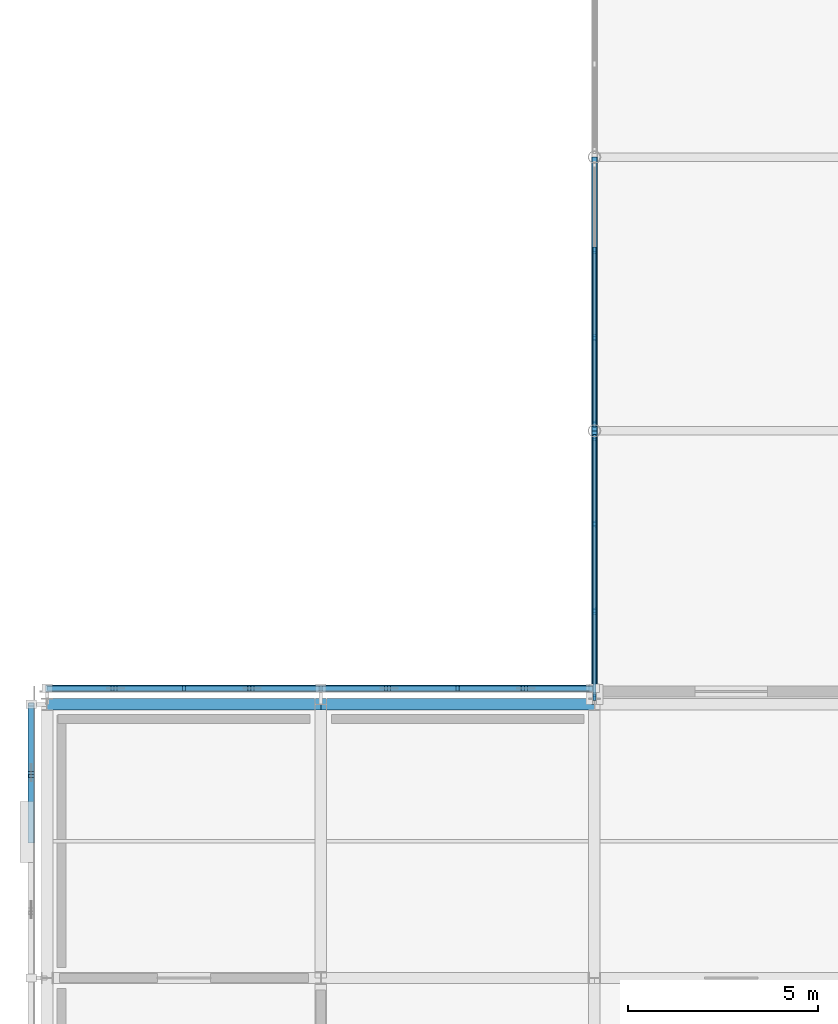
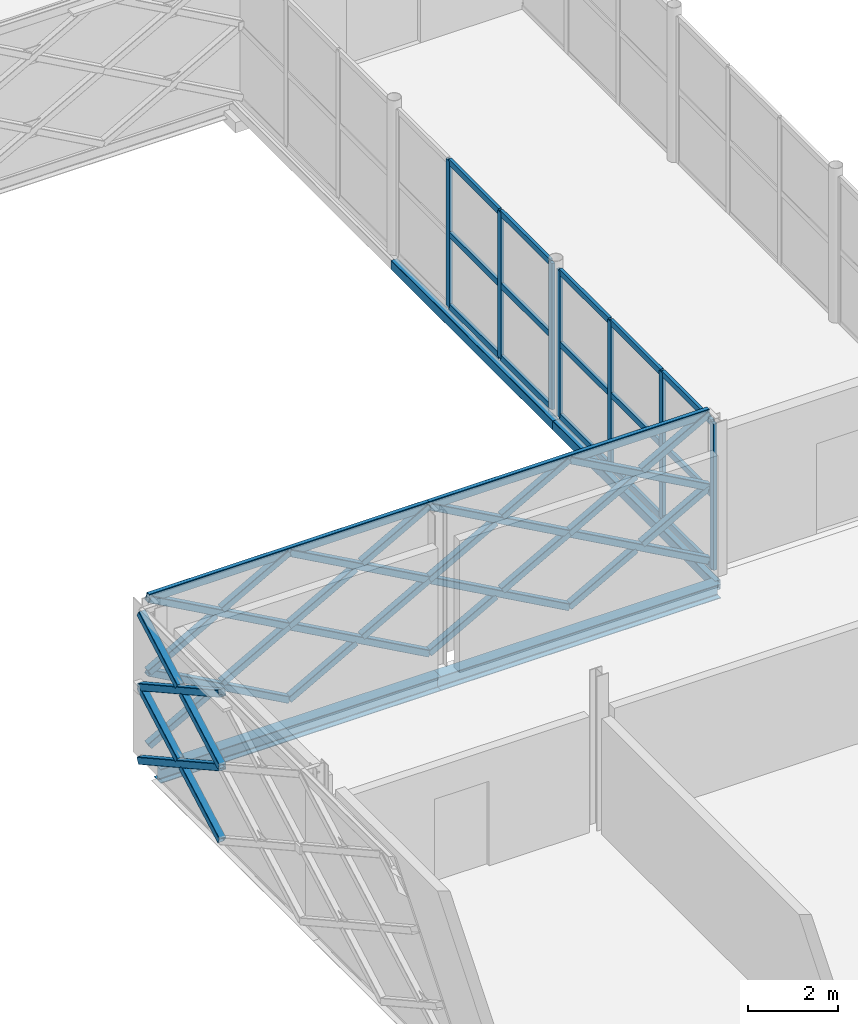
# One storey, part 32 of 146: 54 members, 4 beams, 2 elements without a shape of their own.
"""IFC4 building model written with IfcOpenShell, lengths in metres."""

from ifc_helpers import new_model, si_unit, direction, frame, origin, origin_2d, place, context, subcontext, project, spatial, rectangle, hollow_rectangle, i_section, extrude, material, material_profile, profile_set, type_object, element, aggregate, save


model = new_model("IFC4")

# Units and contexts
model_context = context("Model", 3, precision=1e-05, world=origin(), true_north=direction((0.0, 1.0)))
body_context = subcontext(model_context, "Body", "Model", "MODEL_VIEW")
ifc_project = project(units=[si_unit("LENGTHUNIT", "METRE"), si_unit("AREAUNIT", "SQUARE_METRE"), si_unit("VOLUMEUNIT", "CUBIC_METRE"), si_unit("PLANEANGLEUNIT", "RADIAN"), si_unit("MASSUNIT", "GRAM", prefix="KILO")], contexts=[model_context])

# Site, building, storey
site_placement = place(None, origin())
site = spatial("IfcSite", under=ifc_project, at=site_placement, CompositionType="ELEMENT")
building_placement = place(site_placement, origin())
building = spatial("IfcBuilding", under=site, at=building_placement, Name="Zlatovets Crest Museum", CompositionType="ELEMENT")
storey_placement = place(building_placement, frame((0.0, 0.0, 4.5)))
storey = spatial("IfcBuildingStorey", under=building, at=storey_placement, Name="L01", CompositionType="ELEMENT", Elevation=4.5)

# Beams
ifc_material_1 = material(Name="Structural steel S355J2", Category="steel")
ifc_material_profile_1 = material_profile(ifc_material_1, i_section(OverallWidth=0.300048828125, OverallDepth=0.389892578125, WebThickness=0.010986328125, FlangeThickness=0.01904296875, FilletRadius=0.027099609375, at=origin_2d()), Name="HEA 400")
ifc_profile_set_1 = profile_set([ifc_material_profile_1], Name="Structural steel S355J2")
beam_type_1 = type_object("IfcBeamType", Name="Beam_B-02", PredefinedType="BEAM", material=ifc_profile_set_1)
for number, where, z_axis, x_axis, name in (
    (1, (0.0, 28.800048828125, -0.4150390625), (1.0, 0.0, 0.0), (0.0, 1.0, 0.0), "V3 L01 Primary Girder B-02"),
    (2, (7.199951171875, 28.800048828125, -0.4150390625), (1.0, 0.0, 0.0), (0.0, 1.0, 0.0), "V3 L01 Primary Girder B-02"),
):
    element("IfcBeam", number, at=place(storey_placement, frame(where, z_axis=z_axis, x_axis=x_axis)), inside=storey, type_object=beam_type_1, Name=name, PredefinedType="BEAM", context=body_context, shape_type="SweptSolid", body=[
        extrude(i_section(OverallWidth=0.300048828125, OverallDepth=0.389892578125, WebThickness=0.010986328125, FlangeThickness=0.01904296875, FilletRadius=0.027099609375, at=origin_2d()), origin(), (0.0, 0.0, 1.0), 7.199951171875),
    ])
ifc_material_profile_2 = material_profile(ifc_material_1, hollow_rectangle(XDim=0.159912109375, YDim=0.260009765625, WallThickness=0.010009765625, InnerFilletRadius=0.010009765625, OuterFilletRadius=0.02001953125, at=origin_2d()), Name="RHS 160x260x10.0")
ifc_profile_set_2 = profile_set([ifc_material_profile_2], Name="Structural steel S355J2")
beam_type_2 = type_object("IfcBeamType", Name="Beam_BRG-02", PredefinedType="BEAM", material=ifc_profile_set_2)
for number, where, z_axis, x_axis, name in (
    (3, (14.39990234375, 28.800048828125, -0.35009765625), (0.0, 1.0, 0.0), (-1.0, 0.0, 0.0), "West Hillside Glazed Link Bridge L01 Stringer Beam"),
    (4, (14.39990234375, 36.0, -0.35009765625), (0.0, 1.0, 0.0), (-1.0, 0.0, 0.0), "West Hillside Glazed Link Bridge L01 Stringer Beam"),
):
    element("IfcBeam", number, at=place(storey_placement, frame(where, z_axis=z_axis, x_axis=x_axis)), inside=storey, type_object=beam_type_2, Name=name, PredefinedType="BEAM", context=body_context, shape_type="SweptSolid", body=[
        extrude(hollow_rectangle(XDim=0.159912109375, YDim=0.260009765625, WallThickness=0.010009765625, InnerFilletRadius=0.010009765625, OuterFilletRadius=0.02001953125, at=origin_2d()), origin(), (0.0, 0.0, 1.0), 7.199951171875),
    ])

# Curtain wall, members
ifc_material_2 = material(Name="Bronze-anodised aluminium and low-E triple glass", Category="aluminium")
curtain_wall_type = type_object("IfcCurtainWallType", Name="CW_CW-BR2-L01-S69", PredefinedType="NOTDEFINED", material=ifc_material_2)
curtain_wall_1_placement = place(storey_placement, origin())
curtain_wall_1 = element("IfcCurtainWall", 5, at=curtain_wall_1_placement, inside=storey, type_object=curtain_wall_type, Name="West Hillside Glazed Link Bridge L01 Glazed Bridge Curtain Wall", PredefinedType="NOTDEFINED")
ifc_material_3 = material(Name="Bronze-anodised aluminium EN AW-6060", Category="aluminium")
ifc_material_profile_3 = material_profile(ifc_material_3, rectangle(XDim=0.080078125, YDim=0.159912109375, at=origin_2d()), Name="ALU 80x160")
ifc_profile_set_3 = profile_set([ifc_material_profile_3], Name="Bronze-anodised aluminium EN AW-6060")
member_type_1 = type_object("IfcMemberType", Name="CWMull_M1", PredefinedType="MULLION", material=ifc_profile_set_3)
member_1_placement = place(storey_placement, frame((14.39990234375, 28.97998046875, 0.0), z_axis=(0.0, 0.0, 1.0), x_axis=(-1.0, 0.0, 0.0)))
member_1 = element("IfcMember", 6, at=member_1_placement, type_object=member_type_1, Name="CW-BR2-L01-S69 mullion 1", PredefinedType="MULLION", context=body_context, shape_type="SweptSolid", body=[
    extrude(rectangle(XDim=0.080078125, YDim=0.159912109375, at=origin_2d()), origin(), (0.0, 0.0, 1.0), 3.97998046875),
])
member_2_placement = place(storey_placement, frame((14.39990234375, 31.25, 0.0), z_axis=(0.0, 0.0, 1.0), x_axis=(-1.0, 0.0, 0.0)))
member_2 = element("IfcMember", 7, at=member_2_placement, type_object=member_type_1, Name="CW-BR2-L01-S69 mullion 2", PredefinedType="MULLION", context=body_context, shape_type="SweptSolid", body=[
    extrude(rectangle(XDim=0.080078125, YDim=0.159912109375, at=origin_2d()), origin(), (0.0, 0.0, 1.0), 3.97998046875),
])
member_3_placement = place(storey_placement, frame((14.39990234375, 33.550048828125, 0.0), z_axis=(0.0, 0.0, 1.0), x_axis=(-1.0, 0.0, 0.0)))
member_3 = element("IfcMember", 8, at=member_3_placement, type_object=member_type_1, Name="CW-BR2-L01-S69 mullion 3", PredefinedType="MULLION", context=body_context, shape_type="SweptSolid", body=[
    extrude(rectangle(XDim=0.080078125, YDim=0.159912109375, at=origin_2d()), origin(), (0.0, 0.0, 1.0), 3.97998046875),
])
member_4_placement = place(storey_placement, frame((14.39990234375, 35.820068359375, 0.0), z_axis=(0.0, 0.0, 1.0), x_axis=(-1.0, 0.0, 0.0)))
member_4 = element("IfcMember", 9, at=member_4_placement, type_object=member_type_1, Name="CW-BR2-L01-S69 mullion 4", PredefinedType="MULLION", context=body_context, shape_type="SweptSolid", body=[
    extrude(rectangle(XDim=0.080078125, YDim=0.159912109375, at=origin_2d()), origin(), (0.0, 0.0, 1.0), 3.97998046875),
])

curtain_wall_2_placement = place(storey_placement, origin())
curtain_wall_2 = element("IfcCurtainWall", 10, at=curtain_wall_2_placement, inside=storey, type_object=curtain_wall_type, Name="West Hillside Glazed Link Bridge L01 Glazed Bridge Curtain Wall", PredefinedType="NOTDEFINED")
member_5_placement = place(storey_placement, frame((14.39990234375, 36.179931640625, 0.0), z_axis=(0.0, 0.0, 1.0), x_axis=(-1.0, 0.0, 0.0)))
member_5 = element("IfcMember", 11, at=member_5_placement, type_object=member_type_1, Name="CW-BR2-L01-S69 mullion 1", PredefinedType="MULLION", context=body_context, shape_type="SweptSolid", body=[
    extrude(rectangle(XDim=0.080078125, YDim=0.159912109375, at=origin_2d()), origin(), (0.0, 0.0, 1.0), 3.97998046875),
])
member_6_placement = place(storey_placement, frame((14.39990234375, 38.449951171875, 0.0), z_axis=(0.0, 0.0, 1.0), x_axis=(-1.0, 0.0, 0.0)))
member_6 = element("IfcMember", 12, at=member_6_placement, type_object=member_type_1, Name="CW-BR2-L01-S69 mullion 2", PredefinedType="MULLION", context=body_context, shape_type="SweptSolid", body=[
    extrude(rectangle(XDim=0.080078125, YDim=0.159912109375, at=origin_2d()), origin(), (0.0, 0.0, 1.0), 3.97998046875),
])
member_7_placement = place(storey_placement, frame((14.39990234375, 40.75, 0.0), z_axis=(0.0, 0.0, 1.0), x_axis=(-1.0, 0.0, 0.0)))
member_7 = element("IfcMember", 13, at=member_7_placement, type_object=member_type_1, Name="CW-BR2-L01-S69 mullion 3", PredefinedType="MULLION", context=body_context, shape_type="SweptSolid", body=[
    extrude(rectangle(XDim=0.080078125, YDim=0.159912109375, at=origin_2d()), origin(), (0.0, 0.0, 1.0), 3.97998046875),
])

# Member
ifc_material_profile_4 = material_profile(ifc_material_3, rectangle(XDim=0.080078125, YDim=0.159912109375, at=origin_2d()), Name="ALU 80x160")
ifc_profile_set_4 = profile_set([ifc_material_profile_4], Name="Bronze-anodised aluminium EN AW-6060")
member_type_2 = type_object("IfcMemberType", Name="CWTrans_T1", PredefinedType="USERDEFINED", material=ifc_profile_set_4)
member_8_placement = place(storey_placement, frame((14.39990234375, 29.010009765625, 0.030029296875), z_axis=(0.0, 1.0, 0.0), x_axis=(-1.0, 0.0, 0.0)))
member_8 = element("IfcMember", 14, at=member_8_placement, type_object=member_type_2, Name="CW-BR2-L01-S69 transom 1.1", ObjectType="TRANSOM", PredefinedType="USERDEFINED", context=body_context, shape_type="SweptSolid", body=[
    extrude(rectangle(XDim=0.080078125, YDim=0.159912109375, at=origin_2d()), origin(), (0.0, 0.0, 1.0), 2.2099609375),
])

member_9_placement = place(storey_placement, frame((14.39990234375, 29.010009765625, 1.989990234375), z_axis=(0.0, 1.0, 0.0), x_axis=(-1.0, 0.0, 0.0)))
member_9 = element("IfcMember", 15, at=member_9_placement, type_object=member_type_2, Name="CW-BR2-L01-S69 transom 1.2", ObjectType="TRANSOM", PredefinedType="USERDEFINED", context=body_context, shape_type="SweptSolid", body=[
    extrude(rectangle(XDim=0.080078125, YDim=0.159912109375, at=origin_2d()), origin(), (0.0, 0.0, 1.0), 2.2099609375),
])

member_10_placement = place(storey_placement, frame((14.39990234375, 29.010009765625, 3.949951171875), z_axis=(0.0, 1.0, 0.0), x_axis=(-1.0, 0.0, 0.0)))
member_10 = element("IfcMember", 16, at=member_10_placement, type_object=member_type_2, Name="CW-BR2-L01-S69 transom 1.3", ObjectType="TRANSOM", PredefinedType="USERDEFINED", context=body_context, shape_type="SweptSolid", body=[
    extrude(rectangle(XDim=0.080078125, YDim=0.159912109375, at=origin_2d()), origin(), (0.0, 0.0, 1.0), 2.2099609375),
])

member_11_placement = place(storey_placement, frame((14.39990234375, 31.280029296875, 0.030029296875), z_axis=(0.0, 1.0, 0.0), x_axis=(-1.0, 0.0, 0.0)))
member_11 = element("IfcMember", 17, at=member_11_placement, type_object=member_type_2, Name="CW-BR2-L01-S69 transom 2.1", ObjectType="TRANSOM", PredefinedType="USERDEFINED", context=body_context, shape_type="SweptSolid", body=[
    extrude(rectangle(XDim=0.080078125, YDim=0.159912109375, at=origin_2d()), origin(), (0.0, 0.0, 1.0), 2.239990234375),
])

member_12_placement = place(storey_placement, frame((14.39990234375, 31.280029296875, 1.989990234375), z_axis=(0.0, 1.0, 0.0), x_axis=(-1.0, 0.0, 0.0)))
member_12 = element("IfcMember", 18, at=member_12_placement, type_object=member_type_2, Name="CW-BR2-L01-S69 transom 2.2", ObjectType="TRANSOM", PredefinedType="USERDEFINED", context=body_context, shape_type="SweptSolid", body=[
    extrude(rectangle(XDim=0.080078125, YDim=0.159912109375, at=origin_2d()), origin(), (0.0, 0.0, 1.0), 2.239990234375),
])

member_13_placement = place(storey_placement, frame((14.39990234375, 31.280029296875, 3.949951171875), z_axis=(0.0, 1.0, 0.0), x_axis=(-1.0, 0.0, 0.0)))
member_13 = element("IfcMember", 19, at=member_13_placement, type_object=member_type_2, Name="CW-BR2-L01-S69 transom 2.3", ObjectType="TRANSOM", PredefinedType="USERDEFINED", context=body_context, shape_type="SweptSolid", body=[
    extrude(rectangle(XDim=0.080078125, YDim=0.159912109375, at=origin_2d()), origin(), (0.0, 0.0, 1.0), 2.239990234375),
])

member_14_placement = place(storey_placement, frame((14.39990234375, 33.580078125, 0.030029296875), z_axis=(0.0, 1.0, 0.0), x_axis=(-1.0, 0.0, 0.0)))
member_14 = element("IfcMember", 20, at=member_14_placement, type_object=member_type_2, Name="CW-BR2-L01-S69 transom 3.1", ObjectType="TRANSOM", PredefinedType="USERDEFINED", context=body_context, shape_type="SweptSolid", body=[
    extrude(rectangle(XDim=0.080078125, YDim=0.159912109375, at=origin_2d()), origin(), (0.0, 0.0, 1.0), 2.2099609375),
])

member_15_placement = place(storey_placement, frame((14.39990234375, 33.580078125, 1.989990234375), z_axis=(0.0, 1.0, 0.0), x_axis=(-1.0, 0.0, 0.0)))
member_15 = element("IfcMember", 21, at=member_15_placement, type_object=member_type_2, Name="CW-BR2-L01-S69 transom 3.2", ObjectType="TRANSOM", PredefinedType="USERDEFINED", context=body_context, shape_type="SweptSolid", body=[
    extrude(rectangle(XDim=0.080078125, YDim=0.159912109375, at=origin_2d()), origin(), (0.0, 0.0, 1.0), 2.2099609375),
])

member_16_placement = place(storey_placement, frame((14.39990234375, 33.580078125, 3.949951171875), z_axis=(0.0, 1.0, 0.0), x_axis=(-1.0, 0.0, 0.0)))
member_16 = element("IfcMember", 22, at=member_16_placement, type_object=member_type_2, Name="CW-BR2-L01-S69 transom 3.3", ObjectType="TRANSOM", PredefinedType="USERDEFINED", context=body_context, shape_type="SweptSolid", body=[
    extrude(rectangle(XDim=0.080078125, YDim=0.159912109375, at=origin_2d()), origin(), (0.0, 0.0, 1.0), 2.2099609375),
])

aggregate(curtain_wall_1, [member_1, member_2, member_3, member_4, member_8, member_9, member_10, member_11, member_12, member_13, member_14, member_15, member_16])

member_17_placement = place(storey_placement, frame((14.39990234375, 36.2099609375, 0.030029296875), z_axis=(0.0, 1.0, 0.0), x_axis=(-1.0, 0.0, 0.0)))
member_17 = element("IfcMember", 23, at=member_17_placement, type_object=member_type_2, Name="CW-BR2-L01-S69 transom 1.1", ObjectType="TRANSOM", PredefinedType="USERDEFINED", context=body_context, shape_type="SweptSolid", body=[
    extrude(rectangle(XDim=0.080078125, YDim=0.159912109375, at=origin_2d()), origin(), (0.0, 0.0, 1.0), 2.2099609375),
])

member_18_placement = place(storey_placement, frame((14.39990234375, 36.2099609375, 1.989990234375), z_axis=(0.0, 1.0, 0.0), x_axis=(-1.0, 0.0, 0.0)))
member_18 = element("IfcMember", 24, at=member_18_placement, type_object=member_type_2, Name="CW-BR2-L01-S69 transom 1.2", ObjectType="TRANSOM", PredefinedType="USERDEFINED", context=body_context, shape_type="SweptSolid", body=[
    extrude(rectangle(XDim=0.080078125, YDim=0.159912109375, at=origin_2d()), origin(), (0.0, 0.0, 1.0), 2.2099609375),
])

member_19_placement = place(storey_placement, frame((14.39990234375, 36.2099609375, 3.949951171875), z_axis=(0.0, 1.0, 0.0), x_axis=(-1.0, 0.0, 0.0)))
member_19 = element("IfcMember", 25, at=member_19_placement, type_object=member_type_2, Name="CW-BR2-L01-S69 transom 1.3", ObjectType="TRANSOM", PredefinedType="USERDEFINED", context=body_context, shape_type="SweptSolid", body=[
    extrude(rectangle(XDim=0.080078125, YDim=0.159912109375, at=origin_2d()), origin(), (0.0, 0.0, 1.0), 2.2099609375),
])

member_20_placement = place(storey_placement, frame((14.39990234375, 38.47998046875, 0.030029296875), z_axis=(0.0, 1.0, 0.0), x_axis=(-1.0, 0.0, 0.0)))
member_20 = element("IfcMember", 26, at=member_20_placement, type_object=member_type_2, Name="CW-BR2-L01-S69 transom 2.1", ObjectType="TRANSOM", PredefinedType="USERDEFINED", context=body_context, shape_type="SweptSolid", body=[
    extrude(rectangle(XDim=0.080078125, YDim=0.159912109375, at=origin_2d()), origin(), (0.0, 0.0, 1.0), 2.239990234375),
])

member_21_placement = place(storey_placement, frame((14.39990234375, 38.47998046875, 1.989990234375), z_axis=(0.0, 1.0, 0.0), x_axis=(-1.0, 0.0, 0.0)))
member_21 = element("IfcMember", 27, at=member_21_placement, type_object=member_type_2, Name="CW-BR2-L01-S69 transom 2.2", ObjectType="TRANSOM", PredefinedType="USERDEFINED", context=body_context, shape_type="SweptSolid", body=[
    extrude(rectangle(XDim=0.080078125, YDim=0.159912109375, at=origin_2d()), origin(), (0.0, 0.0, 1.0), 2.239990234375),
])

member_22_placement = place(storey_placement, frame((14.39990234375, 38.47998046875, 3.949951171875), z_axis=(0.0, 1.0, 0.0), x_axis=(-1.0, 0.0, 0.0)))
member_22 = element("IfcMember", 28, at=member_22_placement, type_object=member_type_2, Name="CW-BR2-L01-S69 transom 2.3", ObjectType="TRANSOM", PredefinedType="USERDEFINED", context=body_context, shape_type="SweptSolid", body=[
    extrude(rectangle(XDim=0.080078125, YDim=0.159912109375, at=origin_2d()), origin(), (0.0, 0.0, 1.0), 2.239990234375),
])

aggregate(curtain_wall_2, [member_5, member_6, member_7, member_17, member_18, member_19, member_20, member_21, member_22])

# Members
ifc_material_4 = material(Name="Weathering bronze-steel S355J2W", Category="steel")
ifc_material_profile_5 = material_profile(ifc_material_4, hollow_rectangle(XDim=0.179931640625, YDim=0.179931640625, WallThickness=0.010009765625, InnerFilletRadius=0.010009765625, OuterFilletRadius=0.02001953125, at=origin_2d()), Name="SHS 180x180x10.0")
ifc_profile_set_5 = profile_set([ifc_material_profile_5], Name="Weathering bronze-steel S355J2W")
member_type_3 = type_object("IfcMemberType", Name="Lattice_XL-01", PredefinedType="BRACE", material=ifc_profile_set_5)
member_23_placement = place(storey_placement, frame((14.39990234375, 29.219970703125, 0.10009765625), z_axis=(-0.874148886685, 0.0, 0.485658031857), x_axis=(0.0, -1.0, 0.0)))
element("IfcMember", 29, at=member_23_placement, inside=storey, type_object=member_type_3, Name="Continuous Bronze Lattice Diagonal", PredefinedType="BRACE", context=body_context, shape_type="SweptSolid", body=[
    extrude(hollow_rectangle(XDim=0.179931640625, YDim=0.179931640625, WallThickness=0.010009765625, InnerFilletRadius=0.010009765625, OuterFilletRadius=0.02001953125, at=origin_2d()), origin(), (0.0, 0.0, 1.0), 4.1181640625),
])
for number, where, z_axis, x_axis, name in (
    (30, (14.39990234375, 29.219970703125, 2.10009765625), (-0.874086907708, 0.0, -0.485769572713), (0.0, -1.0, 0.0), "Split Crossing Bronze Lattice Diagonal Upper"),
    (31, (12.51708984375, 29.219970703125, 1.053955078125), (-0.874169001841, 0.0, -0.485621824284), (0.0, -1.0, 0.0), "Split Crossing Bronze Lattice Diagonal Lower"),
):
    element("IfcMember", number, at=place(storey_placement, frame(where, z_axis=z_axis, x_axis=x_axis)), inside=storey, type_object=member_type_3, Name=name, PredefinedType="BRACE", context=body_context, shape_type="SweptSolid", body=[
        extrude(hollow_rectangle(XDim=0.179931640625, YDim=0.179931640625, WallThickness=0.010009765625, InnerFilletRadius=0.010009765625, OuterFilletRadius=0.02001953125, at=origin_2d()), origin(), (0.0, 0.0, 1.0), 1.964111328125),
    ])
member_24_placement = place(storey_placement, frame((10.800048828125, 29.219970703125, 0.10009765625), z_axis=(-0.874162868644, 0.0, 0.485632864501), x_axis=(0.0, -1.0, 0.0)))
element("IfcMember", 32, at=member_24_placement, inside=storey, type_object=member_type_3, Name="Continuous Bronze Lattice Diagonal", PredefinedType="BRACE", context=body_context, shape_type="SweptSolid", body=[
    extrude(hollow_rectangle(XDim=0.179931640625, YDim=0.179931640625, WallThickness=0.010009765625, InnerFilletRadius=0.010009765625, OuterFilletRadius=0.02001953125, at=origin_2d()), origin(), (0.0, 0.0, 1.0), 4.118408203125),
])
member_25_placement = place(storey_placement, frame((10.800048828125, 29.219970703125, 2.10009765625), z_axis=(-0.874116234569, 0.0, -0.48571679862), x_axis=(0.0, -1.0, 0.0)))
element("IfcMember", 33, at=member_25_placement, inside=storey, type_object=member_type_3, Name="Split Crossing Bronze Lattice Diagonal Upper", PredefinedType="BRACE", context=body_context, shape_type="SweptSolid", body=[
    extrude(hollow_rectangle(XDim=0.179931640625, YDim=0.179931640625, WallThickness=0.010009765625, InnerFilletRadius=0.010009765625, OuterFilletRadius=0.02001953125, at=origin_2d()), origin(), (0.0, 0.0, 1.0), 1.96435546875),
])
member_26_placement = place(storey_placement, frame((8.9169921875, 29.219970703125, 1.053955078125), z_axis=(-0.874169001841, 0.0, -0.485621824284), x_axis=(0.0, -1.0, 0.0)))
element("IfcMember", 34, at=member_26_placement, inside=storey, type_object=member_type_3, Name="Split Crossing Bronze Lattice Diagonal Lower", PredefinedType="BRACE", context=body_context, shape_type="SweptSolid", body=[
    extrude(hollow_rectangle(XDim=0.179931640625, YDim=0.179931640625, WallThickness=0.010009765625, InnerFilletRadius=0.010009765625, OuterFilletRadius=0.02001953125, at=origin_2d()), origin(), (0.0, 0.0, 1.0), 1.964111328125),
])
member_27_placement = place(storey_placement, frame((14.39990234375, 29.219970703125, 2.10009765625), z_axis=(-0.874148886685, 0.0, 0.485658031857), x_axis=(0.0, -1.0, 0.0)))
element("IfcMember", 35, at=member_27_placement, inside=storey, type_object=member_type_3, Name="Continuous Bronze Lattice Diagonal", PredefinedType="BRACE", context=body_context, shape_type="SweptSolid", body=[
    extrude(hollow_rectangle(XDim=0.179931640625, YDim=0.179931640625, WallThickness=0.010009765625, InnerFilletRadius=0.010009765625, OuterFilletRadius=0.02001953125, at=origin_2d()), origin(), (0.0, 0.0, 1.0), 4.1181640625),
])
for number, where, z_axis, x_axis, name in (
    (36, (14.39990234375, 29.219970703125, 4.10009765625), (-0.874086907708, 0.0, -0.485769572713), (0.0, -1.0, 0.0), "Split Crossing Bronze Lattice Diagonal Upper"),
    (37, (12.51708984375, 29.219970703125, 3.053955078125), (-0.874169001841, 0.0, -0.485621824284), (0.0, -1.0, 0.0), "Split Crossing Bronze Lattice Diagonal Lower"),
):
    element("IfcMember", number, at=place(storey_placement, frame(where, z_axis=z_axis, x_axis=x_axis)), inside=storey, type_object=member_type_3, Name=name, PredefinedType="BRACE", context=body_context, shape_type="SweptSolid", body=[
        extrude(hollow_rectangle(XDim=0.179931640625, YDim=0.179931640625, WallThickness=0.010009765625, InnerFilletRadius=0.010009765625, OuterFilletRadius=0.02001953125, at=origin_2d()), origin(), (0.0, 0.0, 1.0), 1.964111328125),
    ])
member_28_placement = place(storey_placement, frame((10.800048828125, 29.219970703125, 2.10009765625), z_axis=(-0.874162868644, 0.0, 0.485632864501), x_axis=(0.0, -1.0, 0.0)))
element("IfcMember", 38, at=member_28_placement, inside=storey, type_object=member_type_3, Name="Continuous Bronze Lattice Diagonal", PredefinedType="BRACE", context=body_context, shape_type="SweptSolid", body=[
    extrude(hollow_rectangle(XDim=0.179931640625, YDim=0.179931640625, WallThickness=0.010009765625, InnerFilletRadius=0.010009765625, OuterFilletRadius=0.02001953125, at=origin_2d()), origin(), (0.0, 0.0, 1.0), 4.118408203125),
])
member_29_placement = place(storey_placement, frame((10.800048828125, 29.219970703125, 4.10009765625), z_axis=(-0.874116234569, 0.0, -0.48571679862), x_axis=(0.0, -1.0, 0.0)))
element("IfcMember", 39, at=member_29_placement, inside=storey, type_object=member_type_3, Name="Split Crossing Bronze Lattice Diagonal Upper", PredefinedType="BRACE", context=body_context, shape_type="SweptSolid", body=[
    extrude(hollow_rectangle(XDim=0.179931640625, YDim=0.179931640625, WallThickness=0.010009765625, InnerFilletRadius=0.010009765625, OuterFilletRadius=0.02001953125, at=origin_2d()), origin(), (0.0, 0.0, 1.0), 1.96435546875),
])
member_30_placement = place(storey_placement, frame((8.9169921875, 29.219970703125, 3.053955078125), z_axis=(-0.874169001841, 0.0, -0.485621824284), x_axis=(0.0, -1.0, 0.0)))
element("IfcMember", 40, at=member_30_placement, inside=storey, type_object=member_type_3, Name="Split Crossing Bronze Lattice Diagonal Lower", PredefinedType="BRACE", context=body_context, shape_type="SweptSolid", body=[
    extrude(hollow_rectangle(XDim=0.179931640625, YDim=0.179931640625, WallThickness=0.010009765625, InnerFilletRadius=0.010009765625, OuterFilletRadius=0.02001953125, at=origin_2d()), origin(), (0.0, 0.0, 1.0), 1.964111328125),
])
member_31_placement = place(storey_placement, frame((7.199951171875, 29.219970703125, 0.10009765625), z_axis=(-0.874148886685, 0.0, 0.485658031857), x_axis=(0.0, -1.0, 0.0)))
element("IfcMember", 41, at=member_31_placement, inside=storey, type_object=member_type_3, Name="Continuous Bronze Lattice Diagonal", PredefinedType="BRACE", context=body_context, shape_type="SweptSolid", body=[
    extrude(hollow_rectangle(XDim=0.179931640625, YDim=0.179931640625, WallThickness=0.010009765625, InnerFilletRadius=0.010009765625, OuterFilletRadius=0.02001953125, at=origin_2d()), origin(), (0.0, 0.0, 1.0), 4.1181640625),
])
member_32_placement = place(storey_placement, frame((7.199951171875, 29.219970703125, 2.10009765625), z_axis=(-0.874116234569, 0.0, -0.48571679862), x_axis=(0.0, -1.0, 0.0)))
element("IfcMember", 42, at=member_32_placement, inside=storey, type_object=member_type_3, Name="Split Crossing Bronze Lattice Diagonal Upper", PredefinedType="BRACE", context=body_context, shape_type="SweptSolid", body=[
    extrude(hollow_rectangle(XDim=0.179931640625, YDim=0.179931640625, WallThickness=0.010009765625, InnerFilletRadius=0.010009765625, OuterFilletRadius=0.02001953125, at=origin_2d()), origin(), (0.0, 0.0, 1.0), 1.96435546875),
])
member_33_placement = place(storey_placement, frame((5.31689453125, 29.219970703125, 1.053955078125), z_axis=(-0.874139684676, 0.0, -0.48567459443), x_axis=(0.0, -1.0, 0.0)))
element("IfcMember", 43, at=member_33_placement, inside=storey, type_object=member_type_3, Name="Split Crossing Bronze Lattice Diagonal Lower", PredefinedType="BRACE", context=body_context, shape_type="SweptSolid", body=[
    extrude(hollow_rectangle(XDim=0.179931640625, YDim=0.179931640625, WallThickness=0.010009765625, InnerFilletRadius=0.010009765625, OuterFilletRadius=0.02001953125, at=origin_2d()), origin(), (0.0, 0.0, 1.0), 1.9638671875),
])
member_34_placement = place(storey_placement, frame((3.60009765625, 29.219970703125, 0.10009765625), z_axis=(-0.874162868644, 0.0, 0.485632864501), x_axis=(0.0, -1.0, 0.0)))
element("IfcMember", 44, at=member_34_placement, inside=storey, type_object=member_type_3, Name="Continuous Bronze Lattice Diagonal", PredefinedType="BRACE", context=body_context, shape_type="SweptSolid", body=[
    extrude(hollow_rectangle(XDim=0.179931640625, YDim=0.179931640625, WallThickness=0.010009765625, InnerFilletRadius=0.010009765625, OuterFilletRadius=0.02001953125, at=origin_2d()), origin(), (0.0, 0.0, 1.0), 4.118408203125),
])
member_35_placement = place(storey_placement, frame((3.60009765625, 29.219970703125, 2.10009765625), z_axis=(-0.874116234569, 0.0, -0.48571679862), x_axis=(0.0, -1.0, 0.0)))
element("IfcMember", 45, at=member_35_placement, inside=storey, type_object=member_type_3, Name="Split Crossing Bronze Lattice Diagonal Upper", PredefinedType="BRACE", context=body_context, shape_type="SweptSolid", body=[
    extrude(hollow_rectangle(XDim=0.179931640625, YDim=0.179931640625, WallThickness=0.010009765625, InnerFilletRadius=0.010009765625, OuterFilletRadius=0.02001953125, at=origin_2d()), origin(), (0.0, 0.0, 1.0), 1.96435546875),
])
member_36_placement = place(storey_placement, frame((1.717041015625, 29.219970703125, 1.053955078125), z_axis=(-0.874169001841, 0.0, -0.485621824284), x_axis=(0.0, -1.0, 0.0)))
element("IfcMember", 46, at=member_36_placement, inside=storey, type_object=member_type_3, Name="Split Crossing Bronze Lattice Diagonal Lower", PredefinedType="BRACE", context=body_context, shape_type="SweptSolid", body=[
    extrude(hollow_rectangle(XDim=0.179931640625, YDim=0.179931640625, WallThickness=0.010009765625, InnerFilletRadius=0.010009765625, OuterFilletRadius=0.02001953125, at=origin_2d()), origin(), (0.0, 0.0, 1.0), 1.964111328125),
])
member_37_placement = place(storey_placement, frame((7.199951171875, 29.219970703125, 2.10009765625), z_axis=(-0.874148886685, 0.0, 0.485658031857), x_axis=(0.0, -1.0, 0.0)))
element("IfcMember", 47, at=member_37_placement, inside=storey, type_object=member_type_3, Name="Continuous Bronze Lattice Diagonal", PredefinedType="BRACE", context=body_context, shape_type="SweptSolid", body=[
    extrude(hollow_rectangle(XDim=0.179931640625, YDim=0.179931640625, WallThickness=0.010009765625, InnerFilletRadius=0.010009765625, OuterFilletRadius=0.02001953125, at=origin_2d()), origin(), (0.0, 0.0, 1.0), 4.1181640625),
])
member_38_placement = place(storey_placement, frame((7.199951171875, 29.219970703125, 4.10009765625), z_axis=(-0.874116234569, 0.0, -0.48571679862), x_axis=(0.0, -1.0, 0.0)))
element("IfcMember", 48, at=member_38_placement, inside=storey, type_object=member_type_3, Name="Split Crossing Bronze Lattice Diagonal Upper", PredefinedType="BRACE", context=body_context, shape_type="SweptSolid", body=[
    extrude(hollow_rectangle(XDim=0.179931640625, YDim=0.179931640625, WallThickness=0.010009765625, InnerFilletRadius=0.010009765625, OuterFilletRadius=0.02001953125, at=origin_2d()), origin(), (0.0, 0.0, 1.0), 1.96435546875),
])
member_39_placement = place(storey_placement, frame((5.31689453125, 29.219970703125, 3.053955078125), z_axis=(-0.874139684676, 0.0, -0.48567459443), x_axis=(0.0, -1.0, 0.0)))
element("IfcMember", 49, at=member_39_placement, inside=storey, type_object=member_type_3, Name="Split Crossing Bronze Lattice Diagonal Lower", PredefinedType="BRACE", context=body_context, shape_type="SweptSolid", body=[
    extrude(hollow_rectangle(XDim=0.179931640625, YDim=0.179931640625, WallThickness=0.010009765625, InnerFilletRadius=0.010009765625, OuterFilletRadius=0.02001953125, at=origin_2d()), origin(), (0.0, 0.0, 1.0), 1.9638671875),
])
member_40_placement = place(storey_placement, frame((3.60009765625, 29.219970703125, 2.10009765625), z_axis=(-0.874162868644, 0.0, 0.485632864501), x_axis=(0.0, -1.0, 0.0)))
element("IfcMember", 50, at=member_40_placement, inside=storey, type_object=member_type_3, Name="Continuous Bronze Lattice Diagonal", PredefinedType="BRACE", context=body_context, shape_type="SweptSolid", body=[
    extrude(hollow_rectangle(XDim=0.179931640625, YDim=0.179931640625, WallThickness=0.010009765625, InnerFilletRadius=0.010009765625, OuterFilletRadius=0.02001953125, at=origin_2d()), origin(), (0.0, 0.0, 1.0), 4.118408203125),
])
member_41_placement = place(storey_placement, frame((3.60009765625, 29.219970703125, 4.10009765625), z_axis=(-0.874116234569, 0.0, -0.48571679862), x_axis=(0.0, -1.0, 0.0)))
element("IfcMember", 51, at=member_41_placement, inside=storey, type_object=member_type_3, Name="Split Crossing Bronze Lattice Diagonal Upper", PredefinedType="BRACE", context=body_context, shape_type="SweptSolid", body=[
    extrude(hollow_rectangle(XDim=0.179931640625, YDim=0.179931640625, WallThickness=0.010009765625, InnerFilletRadius=0.010009765625, OuterFilletRadius=0.02001953125, at=origin_2d()), origin(), (0.0, 0.0, 1.0), 1.96435546875),
])
member_42_placement = place(storey_placement, frame((1.717041015625, 29.219970703125, 3.053955078125), z_axis=(-0.874169001841, 0.0, -0.485621824284), x_axis=(0.0, -1.0, 0.0)))
element("IfcMember", 52, at=member_42_placement, inside=storey, type_object=member_type_3, Name="Split Crossing Bronze Lattice Diagonal Lower", PredefinedType="BRACE", context=body_context, shape_type="SweptSolid", body=[
    extrude(hollow_rectangle(XDim=0.179931640625, YDim=0.179931640625, WallThickness=0.010009765625, InnerFilletRadius=0.010009765625, OuterFilletRadius=0.02001953125, at=origin_2d()), origin(), (0.0, 0.0, 1.0), 1.964111328125),
])
member_43_placement = place(storey_placement, frame((-0.419921875, 28.800048828125, 0.10009765625), z_axis=(0.0, -0.874162868644, 0.485632864501), x_axis=(1.0, 0.0, 0.0)))
element("IfcMember", 53, at=member_43_placement, inside=storey, type_object=member_type_3, Name="Continuous Bronze Lattice Diagonal", PredefinedType="BRACE", context=body_context, shape_type="SweptSolid", body=[
    extrude(hollow_rectangle(XDim=0.179931640625, YDim=0.179931640625, WallThickness=0.010009765625, InnerFilletRadius=0.010009765625, OuterFilletRadius=0.02001953125, at=origin_2d()), origin(), (0.0, 0.0, 1.0), 4.118408203125),
])
member_44_placement = place(storey_placement, frame((-0.419921875, 28.800048828125, 2.10009765625), z_axis=(0.0, -0.874116234569, -0.48571679862), x_axis=(1.0, 0.0, 0.0)))
element("IfcMember", 54, at=member_44_placement, inside=storey, type_object=member_type_3, Name="Split Crossing Bronze Lattice Diagonal Upper", PredefinedType="BRACE", context=body_context, shape_type="SweptSolid", body=[
    extrude(hollow_rectangle(XDim=0.179931640625, YDim=0.179931640625, WallThickness=0.010009765625, InnerFilletRadius=0.010009765625, OuterFilletRadius=0.02001953125, at=origin_2d()), origin(), (0.0, 0.0, 1.0), 1.96435546875),
])
member_45_placement = place(storey_placement, frame((-0.419921875, 26.9169921875, 1.053955078125), z_axis=(0.0, -0.874169001841, -0.485621824284), x_axis=(1.0, 0.0, 0.0)))
element("IfcMember", 55, at=member_45_placement, inside=storey, type_object=member_type_3, Name="Split Crossing Bronze Lattice Diagonal Lower", PredefinedType="BRACE", context=body_context, shape_type="SweptSolid", body=[
    extrude(hollow_rectangle(XDim=0.179931640625, YDim=0.179931640625, WallThickness=0.010009765625, InnerFilletRadius=0.010009765625, OuterFilletRadius=0.02001953125, at=origin_2d()), origin(), (0.0, 0.0, 1.0), 1.964111328125),
])
member_46_placement = place(storey_placement, frame((-0.419921875, 28.800048828125, 2.10009765625), z_axis=(0.0, -0.874162868644, 0.485632864501), x_axis=(1.0, 0.0, 0.0)))
element("IfcMember", 56, at=member_46_placement, inside=storey, type_object=member_type_3, Name="Continuous Bronze Lattice Diagonal", PredefinedType="BRACE", context=body_context, shape_type="SweptSolid", body=[
    extrude(hollow_rectangle(XDim=0.179931640625, YDim=0.179931640625, WallThickness=0.010009765625, InnerFilletRadius=0.010009765625, OuterFilletRadius=0.02001953125, at=origin_2d()), origin(), (0.0, 0.0, 1.0), 4.118408203125),
])
member_47_placement = place(storey_placement, frame((-0.419921875, 28.800048828125, 4.10009765625), z_axis=(0.0, -0.874116234569, -0.48571679862), x_axis=(1.0, 0.0, 0.0)))
element("IfcMember", 57, at=member_47_placement, inside=storey, type_object=member_type_3, Name="Split Crossing Bronze Lattice Diagonal Upper", PredefinedType="BRACE", context=body_context, shape_type="SweptSolid", body=[
    extrude(hollow_rectangle(XDim=0.179931640625, YDim=0.179931640625, WallThickness=0.010009765625, InnerFilletRadius=0.010009765625, OuterFilletRadius=0.02001953125, at=origin_2d()), origin(), (0.0, 0.0, 1.0), 1.96435546875),
])
member_48_placement = place(storey_placement, frame((-0.419921875, 26.9169921875, 3.053955078125), z_axis=(0.0, -0.874169001841, -0.485621824284), x_axis=(1.0, 0.0, 0.0)))
element("IfcMember", 58, at=member_48_placement, inside=storey, type_object=member_type_3, Name="Split Crossing Bronze Lattice Diagonal Lower", PredefinedType="BRACE", context=body_context, shape_type="SweptSolid", body=[
    extrude(hollow_rectangle(XDim=0.179931640625, YDim=0.179931640625, WallThickness=0.010009765625, InnerFilletRadius=0.010009765625, OuterFilletRadius=0.02001953125, at=origin_2d()), origin(), (0.0, 0.0, 1.0), 1.964111328125),
])
ifc_material_profile_6 = material_profile(ifc_material_4, hollow_rectangle(XDim=0.1201171875, YDim=0.239990234375, WallThickness=0.010009765625, InnerFilletRadius=0.010009765625, OuterFilletRadius=0.02001953125, at=origin_2d()), Name="RHS 120x240x10.0")
ifc_profile_set_6 = profile_set([ifc_material_profile_6], Name="Weathering bronze-steel S355J2W")
member_type_4 = type_object("IfcMemberType", Name="Lattice_XL-04", PredefinedType="CHORD", material=ifc_profile_set_6)
for number, where, z_axis, x_axis, name in (
    (59, (14.39990234375, 29.219970703125, 4.10009765625), (-1.0, 0.0, 0.0), (0.0, -1.0, 0.0), "Art Nouveau Woven Cage Collector Ring Chord"),
    (60, (7.199951171875, 29.219970703125, 4.10009765625), (-1.0, 0.0, 0.0), (0.0, -1.0, 0.0), "Art Nouveau Woven Cage Collector Ring Chord"),
):
    element("IfcMember", number, at=place(storey_placement, frame(where, z_axis=z_axis, x_axis=x_axis)), inside=storey, type_object=member_type_4, Name=name, PredefinedType="CHORD", context=body_context, shape_type="SweptSolid", body=[
        extrude(hollow_rectangle(XDim=0.1201171875, YDim=0.239990234375, WallThickness=0.010009765625, InnerFilletRadius=0.010009765625, OuterFilletRadius=0.02001953125, at=origin_2d()), origin(), (0.0, 0.0, 1.0), 7.199951171875),
    ])

save(model, "model.ifc")
